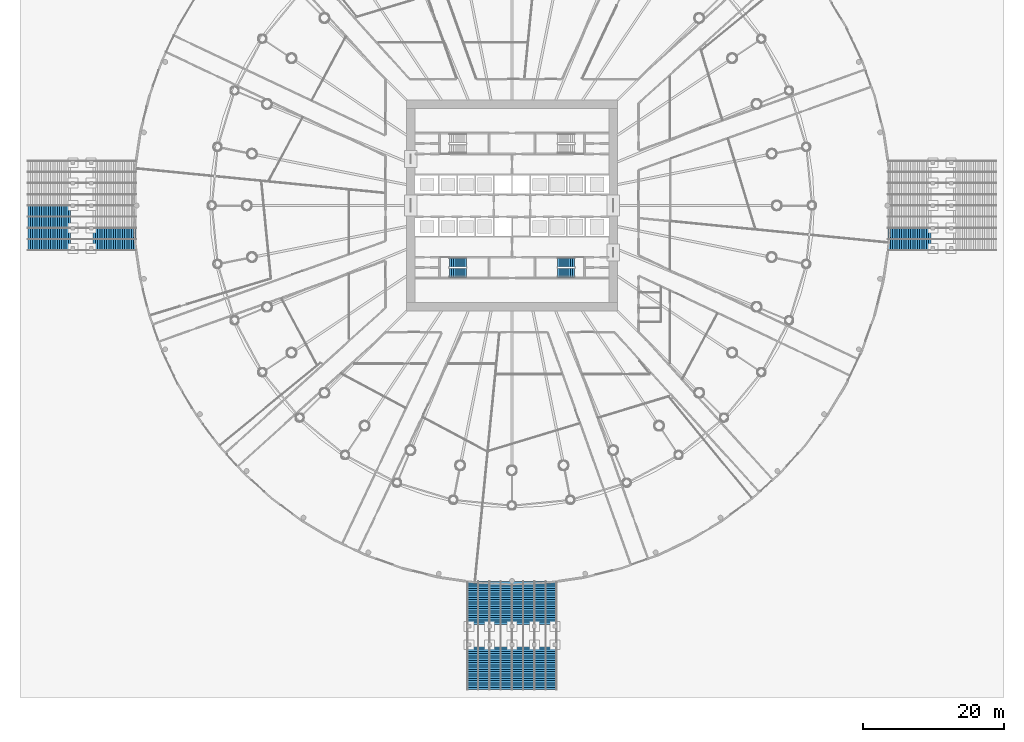
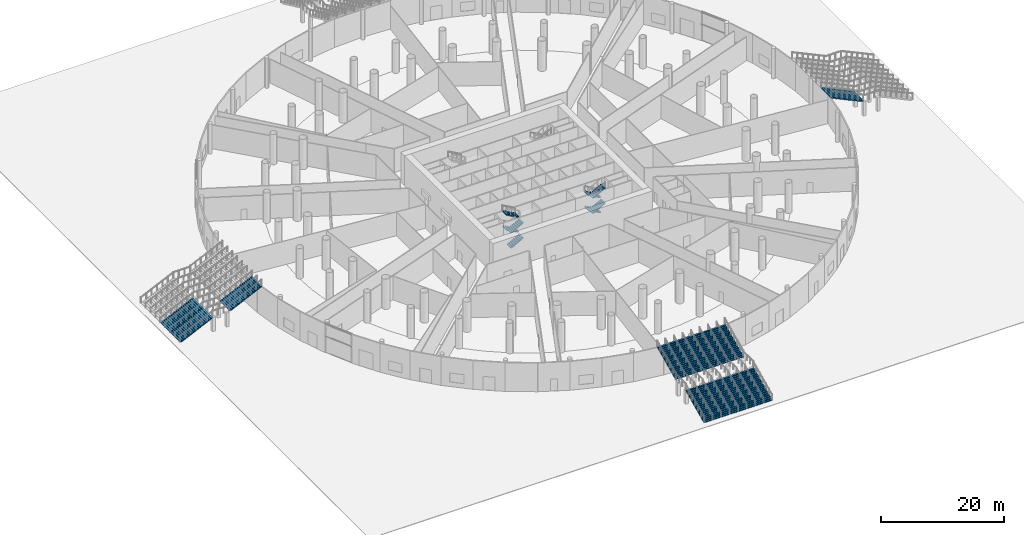
# One storey, part 24 of 33: 20 stair flights, 9 elements without a shape of their own.
"""IFC4 building model written with IfcOpenShell, lengths in metres."""

from ifc_helpers import new_model, si_unit, direction, frame, origin, place, context, subcontext, project, spatial, polyline, outline, extrude, material, type_object, element, aggregate, save


model = new_model("IFC4")

# Units and contexts
model_context = context("Model", 3, precision=1e-05, world=origin(), true_north=direction((0.0, 1.0)))
body_context = subcontext(model_context, "Body", "Model", "MODEL_VIEW")
ifc_project = project(units=[si_unit("LENGTHUNIT", "METRE"), si_unit("AREAUNIT", "SQUARE_METRE"), si_unit("VOLUMEUNIT", "CUBIC_METRE"), si_unit("PLANEANGLEUNIT", "RADIAN"), si_unit("MASSUNIT", "GRAM", prefix="KILO")], contexts=[model_context])

# Site, building, storey
site_placement = place(None, origin())
site = spatial("IfcSite", under=ifc_project, at=site_placement, CompositionType="ELEMENT")
building_placement = place(site_placement, origin())
building = spatial("IfcBuilding", under=site, at=building_placement, Name="Corvane Civic Tower", CompositionType="ELEMENT")
storey_placement = place(building_placement, origin())
storey = spatial("IfcBuildingStorey", under=building, at=storey_placement, Name="G", CompositionType="ELEMENT", Elevation=0.0)

# Stair, stair flight
ifc_material_1 = material(Name="Concrete C40/50", Category="concrete")
stair_type_1 = type_object("IfcStairType", Name="PODIUM-ST-BROAD-EXT", PredefinedType="USERDEFINED", material=ifc_material_1)
stair_1_placement = place(storey_placement, origin())
stair_1 = element("IfcStair", 1, at=stair_1_placement, inside=storey, type_object=stair_type_1, Name="Broad exterior stair east run A", ObjectType="BROAD STEPS", PredefinedType="USERDEFINED")
ifc_material_2 = material(Name="Concrete C40/50", Category="concrete")
stair_flight_type_1 = type_object("IfcStairFlightType", Name="PODIUM-SFL-BROAD-C40", PredefinedType="STRAIGHT", material=ifc_material_2)
stair_flight_1_placement = place(storey_placement, frame((59.580078125, -4.800048828125, 3.0), z_axis=(0.0, 0.0, 1.0), x_axis=(-1.0, 0.0, 0.0)))
stair_flight_1 = element("IfcStairFlight", 2, at=stair_flight_1_placement, type_object=stair_flight_type_1, Name="BS2-A flight 2", NumberOfRisers=20, NumberOfTreads=19, PredefinedType="STRAIGHT", RiserHeight=0.15, TreadLength=0.32, context=body_context, shape_type="SweptSolid", body=[
    extrude(outline(polyline([(0.0, 0.0), (0.0, 0.14990234375), (0.320068359375, 0.14990234375), (0.320068359375, 0.300048828125), (0.639892578125, 0.300048828125), (0.639892578125, 0.449951171875), (0.9599609375, 0.449951171875), (0.9599609375, 0.60009765625), (1.280029296875, 0.60009765625), (1.280029296875, 0.75), (1.60009765625, 0.75), (1.60009765625, 0.89990234375), (1.919921875, 0.89990234375), (1.919921875, 1.050048828125), (2.239990234375, 1.050048828125), (2.239990234375, 1.199951171875), (2.56005859375, 1.199951171875), (2.56005859375, 1.35009765625), (2.8798828125, 1.35009765625), (2.8798828125, 1.5), (3.199951171875, 1.5), (3.199951171875, 1.64990234375), (3.52001953125, 1.64990234375), (3.52001953125, 1.800048828125), (3.840087890625, 1.800048828125), (3.840087890625, 1.949951171875), (4.159912109375, 1.949951171875), (4.159912109375, 2.10009765625), (4.47998046875, 2.10009765625), (4.47998046875, 2.25), (4.800048828125, 2.25), (4.800048828125, 2.39990234375), (5.1201171875, 2.39990234375), (5.1201171875, 2.550048828125), (5.43994140625, 2.550048828125), (5.43994140625, 2.699951171875), (5.760009765625, 2.699951171875), (5.760009765625, 2.85009765625), (6.080078125, 2.85009765625), (6.080078125, 3.0), (6.080078125, 2.684326171875), (0.353271484375, 0.0), (0.0, 0.0)])), frame((0.0, 1.60009765625, 0.0), z_axis=(0.0, -1.0, 0.0), x_axis=(1.0, 0.0, 0.0)), (0.0, 0.0, 1.0), 3.199951171875),
])
aggregate(stair_1, [stair_flight_1])

# Stair, stair flights
stair_2_placement = place(storey_placement, origin())
stair_2 = element("IfcStair", 3, at=stair_2_placement, inside=storey, type_object=stair_type_1, Name="Broad exterior stair south run A", ObjectType="BROAD STEPS", PredefinedType="USERDEFINED")
stair_flight_2_placement = place(storey_placement, frame((-4.800048828125, -68.860107421875, 0.0), z_axis=(0.0, 0.0, 1.0), x_axis=(0.0, 1.0, 0.0)))
stair_flight_2 = element("IfcStairFlight", 4, at=stair_flight_2_placement, type_object=stair_flight_type_1, Name="BS3-A flight 1", NumberOfRisers=20, NumberOfTreads=19, PredefinedType="STRAIGHT", RiserHeight=0.15, TreadLength=0.32, context=body_context, shape_type="SweptSolid", body=[
    extrude(outline(polyline([(0.0, 0.0), (0.0, 0.14990234375), (0.320068359375, 0.14990234375), (0.320068359375, 0.300048828125), (0.639892578125, 0.300048828125), (0.639892578125, 0.449951171875), (0.9599609375, 0.449951171875), (0.9599609375, 0.60009765625), (1.280029296875, 0.60009765625), (1.280029296875, 0.75), (1.60009765625, 0.75), (1.60009765625, 0.89990234375), (1.919921875, 0.89990234375), (1.919921875, 1.050048828125), (2.239990234375, 1.050048828125), (2.239990234375, 1.199951171875), (2.56005859375, 1.199951171875), (2.56005859375, 1.35009765625), (2.8798828125, 1.35009765625), (2.8798828125, 1.5), (3.199951171875, 1.5), (3.199951171875, 1.64990234375), (3.52001953125, 1.64990234375), (3.52001953125, 1.800048828125), (3.840087890625, 1.800048828125), (3.840087890625, 1.949951171875), (4.159912109375, 1.949951171875), (4.159912109375, 2.10009765625), (4.47998046875, 2.10009765625), (4.47998046875, 2.25), (4.800048828125, 2.25), (4.800048828125, 2.39990234375), (5.1201171875, 2.39990234375), (5.1201171875, 2.550048828125), (5.43994140625, 2.550048828125), (5.43994140625, 2.699951171875), (5.760009765625, 2.699951171875), (5.760009765625, 2.85009765625), (6.080078125, 2.85009765625), (6.080078125, 3.0), (6.080078125, 2.684326171875), (0.353271484375, 0.0), (0.0, 0.0)])), frame((0.0, 1.60009765625, 0.0), z_axis=(0.0, -1.0, 0.0), x_axis=(1.0, 0.0, 0.0)), (0.0, 0.0, 1.0), 3.199951171875),
])
stair_flight_3_placement = place(storey_placement, frame((-4.800048828125, -59.580078125, 3.0), z_axis=(0.0, 0.0, 1.0), x_axis=(0.0, 1.0, 0.0)))
stair_flight_3 = element("IfcStairFlight", 5, at=stair_flight_3_placement, type_object=stair_flight_type_1, Name="BS3-A flight 2", NumberOfRisers=20, NumberOfTreads=19, PredefinedType="STRAIGHT", RiserHeight=0.15, TreadLength=0.32, context=body_context, shape_type="SweptSolid", body=[
    extrude(outline(polyline([(0.0, 0.0), (0.0, 0.14990234375), (0.320068359375, 0.14990234375), (0.320068359375, 0.300048828125), (0.639892578125, 0.300048828125), (0.639892578125, 0.449951171875), (0.9599609375, 0.449951171875), (0.9599609375, 0.60009765625), (1.280029296875, 0.60009765625), (1.280029296875, 0.75), (1.60009765625, 0.75), (1.60009765625, 0.89990234375), (1.919921875, 0.89990234375), (1.919921875, 1.050048828125), (2.239990234375, 1.050048828125), (2.239990234375, 1.199951171875), (2.56005859375, 1.199951171875), (2.56005859375, 1.35009765625), (2.8798828125, 1.35009765625), (2.8798828125, 1.5), (3.199951171875, 1.5), (3.199951171875, 1.64990234375), (3.52001953125, 1.64990234375), (3.52001953125, 1.800048828125), (3.840087890625, 1.800048828125), (3.840087890625, 1.949951171875), (4.159912109375, 1.949951171875), (4.159912109375, 2.10009765625), (4.47998046875, 2.10009765625), (4.47998046875, 2.25), (4.800048828125, 2.25), (4.800048828125, 2.39990234375), (5.1201171875, 2.39990234375), (5.1201171875, 2.550048828125), (5.43994140625, 2.550048828125), (5.43994140625, 2.699951171875), (5.760009765625, 2.699951171875), (5.760009765625, 2.85009765625), (6.080078125, 2.85009765625), (6.080078125, 3.0), (6.080078125, 2.684326171875), (0.353271484375, 0.0), (0.0, 0.0)])), frame((0.0, 1.60009765625, 0.0), z_axis=(0.0, -1.0, 0.0), x_axis=(1.0, 0.0, 0.0)), (0.0, 0.0, 1.0), 3.199951171875),
])
aggregate(stair_2, [stair_flight_2, stair_flight_3])

stair_3_placement = place(storey_placement, origin())
stair_3 = element("IfcStair", 6, at=stair_3_placement, inside=storey, type_object=stair_type_1, Name="Broad exterior stair south run B", ObjectType="BROAD STEPS", PredefinedType="USERDEFINED")
stair_flight_4_placement = place(storey_placement, frame((-1.60009765625, -68.860107421875, 0.0), z_axis=(0.0, 0.0, 1.0), x_axis=(0.0, 1.0, 0.0)))
stair_flight_4 = element("IfcStairFlight", 7, at=stair_flight_4_placement, type_object=stair_flight_type_1, Name="BS3-B flight 1", NumberOfRisers=20, NumberOfTreads=19, PredefinedType="STRAIGHT", RiserHeight=0.15, TreadLength=0.32, context=body_context, shape_type="SweptSolid", body=[
    extrude(outline(polyline([(0.0, 0.0), (0.0, 0.14990234375), (0.320068359375, 0.14990234375), (0.320068359375, 0.300048828125), (0.639892578125, 0.300048828125), (0.639892578125, 0.449951171875), (0.9599609375, 0.449951171875), (0.9599609375, 0.60009765625), (1.280029296875, 0.60009765625), (1.280029296875, 0.75), (1.60009765625, 0.75), (1.60009765625, 0.89990234375), (1.919921875, 0.89990234375), (1.919921875, 1.050048828125), (2.239990234375, 1.050048828125), (2.239990234375, 1.199951171875), (2.56005859375, 1.199951171875), (2.56005859375, 1.35009765625), (2.8798828125, 1.35009765625), (2.8798828125, 1.5), (3.199951171875, 1.5), (3.199951171875, 1.64990234375), (3.52001953125, 1.64990234375), (3.52001953125, 1.800048828125), (3.840087890625, 1.800048828125), (3.840087890625, 1.949951171875), (4.159912109375, 1.949951171875), (4.159912109375, 2.10009765625), (4.47998046875, 2.10009765625), (4.47998046875, 2.25), (4.800048828125, 2.25), (4.800048828125, 2.39990234375), (5.1201171875, 2.39990234375), (5.1201171875, 2.550048828125), (5.43994140625, 2.550048828125), (5.43994140625, 2.699951171875), (5.760009765625, 2.699951171875), (5.760009765625, 2.85009765625), (6.080078125, 2.85009765625), (6.080078125, 3.0), (6.080078125, 2.684326171875), (0.353271484375, 0.0), (0.0, 0.0)])), frame((0.0, 1.60009765625, 0.0), z_axis=(0.0, -1.0, 0.0), x_axis=(1.0, 0.0, 0.0)), (0.0, 0.0, 1.0), 3.199951171875),
])
stair_flight_5_placement = place(storey_placement, frame((-1.60009765625, -59.580078125, 3.0), z_axis=(0.0, 0.0, 1.0), x_axis=(0.0, 1.0, 0.0)))
stair_flight_5 = element("IfcStairFlight", 8, at=stair_flight_5_placement, type_object=stair_flight_type_1, Name="BS3-B flight 2", NumberOfRisers=20, NumberOfTreads=19, PredefinedType="STRAIGHT", RiserHeight=0.15, TreadLength=0.32, context=body_context, shape_type="SweptSolid", body=[
    extrude(outline(polyline([(0.0, 0.0), (0.0, 0.14990234375), (0.320068359375, 0.14990234375), (0.320068359375, 0.300048828125), (0.639892578125, 0.300048828125), (0.639892578125, 0.449951171875), (0.9599609375, 0.449951171875), (0.9599609375, 0.60009765625), (1.280029296875, 0.60009765625), (1.280029296875, 0.75), (1.60009765625, 0.75), (1.60009765625, 0.89990234375), (1.919921875, 0.89990234375), (1.919921875, 1.050048828125), (2.239990234375, 1.050048828125), (2.239990234375, 1.199951171875), (2.56005859375, 1.199951171875), (2.56005859375, 1.35009765625), (2.8798828125, 1.35009765625), (2.8798828125, 1.5), (3.199951171875, 1.5), (3.199951171875, 1.64990234375), (3.52001953125, 1.64990234375), (3.52001953125, 1.800048828125), (3.840087890625, 1.800048828125), (3.840087890625, 1.949951171875), (4.159912109375, 1.949951171875), (4.159912109375, 2.10009765625), (4.47998046875, 2.10009765625), (4.47998046875, 2.25), (4.800048828125, 2.25), (4.800048828125, 2.39990234375), (5.1201171875, 2.39990234375), (5.1201171875, 2.550048828125), (5.43994140625, 2.550048828125), (5.43994140625, 2.699951171875), (5.760009765625, 2.699951171875), (5.760009765625, 2.85009765625), (6.080078125, 2.85009765625), (6.080078125, 3.0), (6.080078125, 2.684326171875), (0.353271484375, 0.0), (0.0, 0.0)])), frame((0.0, 1.60009765625, 0.0), z_axis=(0.0, -1.0, 0.0), x_axis=(1.0, 0.0, 0.0)), (0.0, 0.0, 1.0), 3.199951171875),
])
aggregate(stair_3, [stair_flight_4, stair_flight_5])

stair_4_placement = place(storey_placement, origin())
stair_4 = element("IfcStair", 9, at=stair_4_placement, inside=storey, type_object=stair_type_1, Name="Broad exterior stair south run C", ObjectType="BROAD STEPS", PredefinedType="USERDEFINED")
stair_flight_6_placement = place(storey_placement, frame((1.60009765625, -68.860107421875, 0.0), z_axis=(0.0, 0.0, 1.0), x_axis=(0.0, 1.0, 0.0)))
stair_flight_6 = element("IfcStairFlight", 10, at=stair_flight_6_placement, type_object=stair_flight_type_1, Name="BS3-C flight 1", NumberOfRisers=20, NumberOfTreads=19, PredefinedType="STRAIGHT", RiserHeight=0.15, TreadLength=0.32, context=body_context, shape_type="SweptSolid", body=[
    extrude(outline(polyline([(0.0, 0.0), (0.0, 0.14990234375), (0.320068359375, 0.14990234375), (0.320068359375, 0.300048828125), (0.639892578125, 0.300048828125), (0.639892578125, 0.449951171875), (0.9599609375, 0.449951171875), (0.9599609375, 0.60009765625), (1.280029296875, 0.60009765625), (1.280029296875, 0.75), (1.60009765625, 0.75), (1.60009765625, 0.89990234375), (1.919921875, 0.89990234375), (1.919921875, 1.050048828125), (2.239990234375, 1.050048828125), (2.239990234375, 1.199951171875), (2.56005859375, 1.199951171875), (2.56005859375, 1.35009765625), (2.8798828125, 1.35009765625), (2.8798828125, 1.5), (3.199951171875, 1.5), (3.199951171875, 1.64990234375), (3.52001953125, 1.64990234375), (3.52001953125, 1.800048828125), (3.840087890625, 1.800048828125), (3.840087890625, 1.949951171875), (4.159912109375, 1.949951171875), (4.159912109375, 2.10009765625), (4.47998046875, 2.10009765625), (4.47998046875, 2.25), (4.800048828125, 2.25), (4.800048828125, 2.39990234375), (5.1201171875, 2.39990234375), (5.1201171875, 2.550048828125), (5.43994140625, 2.550048828125), (5.43994140625, 2.699951171875), (5.760009765625, 2.699951171875), (5.760009765625, 2.85009765625), (6.080078125, 2.85009765625), (6.080078125, 3.0), (6.080078125, 2.684326171875), (0.353271484375, 0.0), (0.0, 0.0)])), frame((0.0, 1.60009765625, 0.0), z_axis=(0.0, -1.0, 0.0), x_axis=(1.0, 0.0, 0.0)), (0.0, 0.0, 1.0), 3.199951171875),
])
stair_flight_7_placement = place(storey_placement, frame((1.60009765625, -59.580078125, 3.0), z_axis=(0.0, 0.0, 1.0), x_axis=(0.0, 1.0, 0.0)))
stair_flight_7 = element("IfcStairFlight", 11, at=stair_flight_7_placement, type_object=stair_flight_type_1, Name="BS3-C flight 2", NumberOfRisers=20, NumberOfTreads=19, PredefinedType="STRAIGHT", RiserHeight=0.15, TreadLength=0.32, context=body_context, shape_type="SweptSolid", body=[
    extrude(outline(polyline([(0.0, 0.0), (0.0, 0.14990234375), (0.320068359375, 0.14990234375), (0.320068359375, 0.300048828125), (0.639892578125, 0.300048828125), (0.639892578125, 0.449951171875), (0.9599609375, 0.449951171875), (0.9599609375, 0.60009765625), (1.280029296875, 0.60009765625), (1.280029296875, 0.75), (1.60009765625, 0.75), (1.60009765625, 0.89990234375), (1.919921875, 0.89990234375), (1.919921875, 1.050048828125), (2.239990234375, 1.050048828125), (2.239990234375, 1.199951171875), (2.56005859375, 1.199951171875), (2.56005859375, 1.35009765625), (2.8798828125, 1.35009765625), (2.8798828125, 1.5), (3.199951171875, 1.5), (3.199951171875, 1.64990234375), (3.52001953125, 1.64990234375), (3.52001953125, 1.800048828125), (3.840087890625, 1.800048828125), (3.840087890625, 1.949951171875), (4.159912109375, 1.949951171875), (4.159912109375, 2.10009765625), (4.47998046875, 2.10009765625), (4.47998046875, 2.25), (4.800048828125, 2.25), (4.800048828125, 2.39990234375), (5.1201171875, 2.39990234375), (5.1201171875, 2.550048828125), (5.43994140625, 2.550048828125), (5.43994140625, 2.699951171875), (5.760009765625, 2.699951171875), (5.760009765625, 2.85009765625), (6.080078125, 2.85009765625), (6.080078125, 3.0), (6.080078125, 2.684326171875), (0.353271484375, 0.0), (0.0, 0.0)])), frame((0.0, 1.60009765625, 0.0), z_axis=(0.0, -1.0, 0.0), x_axis=(1.0, 0.0, 0.0)), (0.0, 0.0, 1.0), 3.199951171875),
])
aggregate(stair_4, [stair_flight_6, stair_flight_7])

stair_5_placement = place(storey_placement, origin())
stair_5 = element("IfcStair", 12, at=stair_5_placement, inside=storey, type_object=stair_type_1, Name="Broad exterior stair south run D", ObjectType="BROAD STEPS", PredefinedType="USERDEFINED")
stair_flight_8_placement = place(storey_placement, frame((4.800048828125, -68.860107421875, 0.0), z_axis=(0.0, 0.0, 1.0), x_axis=(0.0, 1.0, 0.0)))
stair_flight_8 = element("IfcStairFlight", 13, at=stair_flight_8_placement, type_object=stair_flight_type_1, Name="BS3-D flight 1", NumberOfRisers=20, NumberOfTreads=19, PredefinedType="STRAIGHT", RiserHeight=0.15, TreadLength=0.32, context=body_context, shape_type="SweptSolid", body=[
    extrude(outline(polyline([(0.0, 0.0), (0.0, 0.14990234375), (0.320068359375, 0.14990234375), (0.320068359375, 0.300048828125), (0.639892578125, 0.300048828125), (0.639892578125, 0.449951171875), (0.9599609375, 0.449951171875), (0.9599609375, 0.60009765625), (1.280029296875, 0.60009765625), (1.280029296875, 0.75), (1.60009765625, 0.75), (1.60009765625, 0.89990234375), (1.919921875, 0.89990234375), (1.919921875, 1.050048828125), (2.239990234375, 1.050048828125), (2.239990234375, 1.199951171875), (2.56005859375, 1.199951171875), (2.56005859375, 1.35009765625), (2.8798828125, 1.35009765625), (2.8798828125, 1.5), (3.199951171875, 1.5), (3.199951171875, 1.64990234375), (3.52001953125, 1.64990234375), (3.52001953125, 1.800048828125), (3.840087890625, 1.800048828125), (3.840087890625, 1.949951171875), (4.159912109375, 1.949951171875), (4.159912109375, 2.10009765625), (4.47998046875, 2.10009765625), (4.47998046875, 2.25), (4.800048828125, 2.25), (4.800048828125, 2.39990234375), (5.1201171875, 2.39990234375), (5.1201171875, 2.550048828125), (5.43994140625, 2.550048828125), (5.43994140625, 2.699951171875), (5.760009765625, 2.699951171875), (5.760009765625, 2.85009765625), (6.080078125, 2.85009765625), (6.080078125, 3.0), (6.080078125, 2.684326171875), (0.353271484375, 0.0), (0.0, 0.0)])), frame((0.0, 1.60009765625, 0.0), z_axis=(0.0, -1.0, 0.0), x_axis=(1.0, 0.0, 0.0)), (0.0, 0.0, 1.0), 3.199951171875),
])
stair_flight_9_placement = place(storey_placement, frame((4.800048828125, -59.580078125, 3.0), z_axis=(0.0, 0.0, 1.0), x_axis=(0.0, 1.0, 0.0)))
stair_flight_9 = element("IfcStairFlight", 14, at=stair_flight_9_placement, type_object=stair_flight_type_1, Name="BS3-D flight 2", NumberOfRisers=20, NumberOfTreads=19, PredefinedType="STRAIGHT", RiserHeight=0.15, TreadLength=0.32, context=body_context, shape_type="SweptSolid", body=[
    extrude(outline(polyline([(0.0, 0.0), (0.0, 0.14990234375), (0.320068359375, 0.14990234375), (0.320068359375, 0.300048828125), (0.639892578125, 0.300048828125), (0.639892578125, 0.449951171875), (0.9599609375, 0.449951171875), (0.9599609375, 0.60009765625), (1.280029296875, 0.60009765625), (1.280029296875, 0.75), (1.60009765625, 0.75), (1.60009765625, 0.89990234375), (1.919921875, 0.89990234375), (1.919921875, 1.050048828125), (2.239990234375, 1.050048828125), (2.239990234375, 1.199951171875), (2.56005859375, 1.199951171875), (2.56005859375, 1.35009765625), (2.8798828125, 1.35009765625), (2.8798828125, 1.5), (3.199951171875, 1.5), (3.199951171875, 1.64990234375), (3.52001953125, 1.64990234375), (3.52001953125, 1.800048828125), (3.840087890625, 1.800048828125), (3.840087890625, 1.949951171875), (4.159912109375, 1.949951171875), (4.159912109375, 2.10009765625), (4.47998046875, 2.10009765625), (4.47998046875, 2.25), (4.800048828125, 2.25), (4.800048828125, 2.39990234375), (5.1201171875, 2.39990234375), (5.1201171875, 2.550048828125), (5.43994140625, 2.550048828125), (5.43994140625, 2.699951171875), (5.760009765625, 2.699951171875), (5.760009765625, 2.85009765625), (6.080078125, 2.85009765625), (6.080078125, 3.0), (6.080078125, 2.684326171875), (0.353271484375, 0.0), (0.0, 0.0)])), frame((0.0, 1.60009765625, 0.0), z_axis=(0.0, -1.0, 0.0), x_axis=(1.0, 0.0, 0.0)), (0.0, 0.0, 1.0), 3.199951171875),
])
aggregate(stair_5, [stair_flight_8, stair_flight_9])

# Stair, stair flight
stair_6_placement = place(storey_placement, origin())
stair_6 = element("IfcStair", 15, at=stair_6_placement, inside=storey, type_object=stair_type_1, Name="Broad exterior stair west run C", ObjectType="BROAD STEPS", PredefinedType="USERDEFINED")
stair_flight_10_placement = place(storey_placement, frame((-68.860107421875, -1.60009765625, 0.0), z_axis=(0.0, 0.0, 1.0), x_axis=(1.0, 0.0, 0.0)))
stair_flight_10 = element("IfcStairFlight", 16, at=stair_flight_10_placement, type_object=stair_flight_type_1, Name="BS4-C flight 1", NumberOfRisers=20, NumberOfTreads=19, PredefinedType="STRAIGHT", RiserHeight=0.15, TreadLength=0.32, context=body_context, shape_type="SweptSolid", body=[
    extrude(outline(polyline([(0.0, 0.0), (0.0, 0.14990234375), (0.320068359375, 0.14990234375), (0.320068359375, 0.300048828125), (0.639892578125, 0.300048828125), (0.639892578125, 0.449951171875), (0.9599609375, 0.449951171875), (0.9599609375, 0.60009765625), (1.280029296875, 0.60009765625), (1.280029296875, 0.75), (1.60009765625, 0.75), (1.60009765625, 0.89990234375), (1.919921875, 0.89990234375), (1.919921875, 1.050048828125), (2.239990234375, 1.050048828125), (2.239990234375, 1.199951171875), (2.56005859375, 1.199951171875), (2.56005859375, 1.35009765625), (2.8798828125, 1.35009765625), (2.8798828125, 1.5), (3.199951171875, 1.5), (3.199951171875, 1.64990234375), (3.52001953125, 1.64990234375), (3.52001953125, 1.800048828125), (3.840087890625, 1.800048828125), (3.840087890625, 1.949951171875), (4.159912109375, 1.949951171875), (4.159912109375, 2.10009765625), (4.47998046875, 2.10009765625), (4.47998046875, 2.25), (4.800048828125, 2.25), (4.800048828125, 2.39990234375), (5.1201171875, 2.39990234375), (5.1201171875, 2.550048828125), (5.43994140625, 2.550048828125), (5.43994140625, 2.699951171875), (5.760009765625, 2.699951171875), (5.760009765625, 2.85009765625), (6.080078125, 2.85009765625), (6.080078125, 3.0), (6.080078125, 2.684326171875), (0.353271484375, 0.0), (0.0, 0.0)])), frame((0.0, 1.60009765625, 0.0), z_axis=(0.0, -1.0, 0.0), x_axis=(1.0, 0.0, 0.0)), (0.0, 0.0, 1.0), 3.199951171875),
])
aggregate(stair_6, [stair_flight_10])

# Stair, stair flights
stair_7_placement = place(storey_placement, origin())
stair_7 = element("IfcStair", 17, at=stair_7_placement, inside=storey, type_object=stair_type_1, Name="Broad exterior stair west run D", ObjectType="BROAD STEPS", PredefinedType="USERDEFINED")
stair_flight_11_placement = place(storey_placement, frame((-68.860107421875, -4.800048828125, 0.0), z_axis=(0.0, 0.0, 1.0), x_axis=(1.0, 0.0, 0.0)))
stair_flight_11 = element("IfcStairFlight", 18, at=stair_flight_11_placement, type_object=stair_flight_type_1, Name="BS4-D flight 1", NumberOfRisers=20, NumberOfTreads=19, PredefinedType="STRAIGHT", RiserHeight=0.15, TreadLength=0.32, context=body_context, shape_type="SweptSolid", body=[
    extrude(outline(polyline([(0.0, 0.0), (0.0, 0.14990234375), (0.320068359375, 0.14990234375), (0.320068359375, 0.300048828125), (0.639892578125, 0.300048828125), (0.639892578125, 0.449951171875), (0.9599609375, 0.449951171875), (0.9599609375, 0.60009765625), (1.280029296875, 0.60009765625), (1.280029296875, 0.75), (1.60009765625, 0.75), (1.60009765625, 0.89990234375), (1.919921875, 0.89990234375), (1.919921875, 1.050048828125), (2.239990234375, 1.050048828125), (2.239990234375, 1.199951171875), (2.56005859375, 1.199951171875), (2.56005859375, 1.35009765625), (2.8798828125, 1.35009765625), (2.8798828125, 1.5), (3.199951171875, 1.5), (3.199951171875, 1.64990234375), (3.52001953125, 1.64990234375), (3.52001953125, 1.800048828125), (3.840087890625, 1.800048828125), (3.840087890625, 1.949951171875), (4.159912109375, 1.949951171875), (4.159912109375, 2.10009765625), (4.47998046875, 2.10009765625), (4.47998046875, 2.25), (4.800048828125, 2.25), (4.800048828125, 2.39990234375), (5.1201171875, 2.39990234375), (5.1201171875, 2.550048828125), (5.43994140625, 2.550048828125), (5.43994140625, 2.699951171875), (5.760009765625, 2.699951171875), (5.760009765625, 2.85009765625), (6.080078125, 2.85009765625), (6.080078125, 3.0), (6.080078125, 2.684326171875), (0.353271484375, 0.0), (0.0, 0.0)])), frame((0.0, 1.60009765625, 0.0), z_axis=(0.0, -1.0, 0.0), x_axis=(1.0, 0.0, 0.0)), (0.0, 0.0, 1.0), 3.199951171875),
])
stair_flight_12_placement = place(storey_placement, frame((-59.580078125, -4.800048828125, 3.0), z_axis=(0.0, 0.0, 1.0), x_axis=(1.0, 0.0, 0.0)))
stair_flight_12 = element("IfcStairFlight", 19, at=stair_flight_12_placement, type_object=stair_flight_type_1, Name="BS4-D flight 2", NumberOfRisers=20, NumberOfTreads=19, PredefinedType="STRAIGHT", RiserHeight=0.15, TreadLength=0.32, context=body_context, shape_type="SweptSolid", body=[
    extrude(outline(polyline([(0.0, 0.0), (0.0, 0.14990234375), (0.320068359375, 0.14990234375), (0.320068359375, 0.300048828125), (0.639892578125, 0.300048828125), (0.639892578125, 0.449951171875), (0.9599609375, 0.449951171875), (0.9599609375, 0.60009765625), (1.280029296875, 0.60009765625), (1.280029296875, 0.75), (1.60009765625, 0.75), (1.60009765625, 0.89990234375), (1.919921875, 0.89990234375), (1.919921875, 1.050048828125), (2.239990234375, 1.050048828125), (2.239990234375, 1.199951171875), (2.56005859375, 1.199951171875), (2.56005859375, 1.35009765625), (2.8798828125, 1.35009765625), (2.8798828125, 1.5), (3.199951171875, 1.5), (3.199951171875, 1.64990234375), (3.52001953125, 1.64990234375), (3.52001953125, 1.800048828125), (3.840087890625, 1.800048828125), (3.840087890625, 1.949951171875), (4.159912109375, 1.949951171875), (4.159912109375, 2.10009765625), (4.47998046875, 2.10009765625), (4.47998046875, 2.25), (4.800048828125, 2.25), (4.800048828125, 2.39990234375), (5.1201171875, 2.39990234375), (5.1201171875, 2.550048828125), (5.43994140625, 2.550048828125), (5.43994140625, 2.699951171875), (5.760009765625, 2.699951171875), (5.760009765625, 2.85009765625), (6.080078125, 2.85009765625), (6.080078125, 3.0), (6.080078125, 2.684326171875), (0.353271484375, 0.0), (0.0, 0.0)])), frame((0.0, 1.60009765625, 0.0), z_axis=(0.0, -1.0, 0.0), x_axis=(1.0, 0.0, 0.0)), (0.0, 0.0, 1.0), 3.199951171875),
])
aggregate(stair_7, [stair_flight_11, stair_flight_12])

ifc_material_3 = material(Name="Concrete C40/50", Category="concrete")
stair_type_2 = type_object("IfcStairType", Name="ST-STAIR-HALFTURN", PredefinedType="HALF_TURN_STAIR", material=ifc_material_3)
stair_8_placement = place(storey_placement, origin())
stair_8 = element("IfcStair", 20, at=stair_8_placement, inside=storey, type_object=stair_type_2, Name="G Exit stair ST2", PredefinedType="HALF_TURN_STAIR")
ifc_material_4 = material(Name="Concrete C40/50", Category="concrete")
stair_flight_type_2 = type_object("IfcStairFlightType", Name="ST-FLIGHT-RC", PredefinedType="STRAIGHT", material=ifc_material_4)
stair_flight_13_placement = place(storey_placement, frame((8.89990234375, -8.10009765625, 0.0), z_axis=(0.0, 0.0, 1.0), x_axis=(-1.0, 0.0, 0.0)))
stair_flight_13 = element("IfcStairFlight", 21, at=stair_flight_13_placement, type_object=stair_flight_type_2, Name="ST2 flight 1", NumberOfRisers=9, NumberOfTreads=8, PredefinedType="STRAIGHT", RiserHeight=0.166666667, TreadLength=0.3, context=body_context, shape_type="SweptSolid", body=[
    extrude(outline(polyline([(0.0, 0.0), (0.0, 0.166748046875), (0.300048828125, 0.166748046875), (0.300048828125, 0.333251953125), (0.60009765625, 0.333251953125), (0.60009765625, 0.5), (0.89990234375, 0.5), (0.89990234375, 0.666748046875), (1.199951171875, 0.666748046875), (1.199951171875, 0.833251953125), (1.5, 0.833251953125), (1.5, 1.0), (1.800048828125, 1.0), (1.800048828125, 1.166748046875), (2.10009765625, 1.166748046875), (2.10009765625, 1.333251953125), (2.39990234375, 1.333251953125), (2.39990234375, 1.5), (2.39990234375, 1.161865234375), (0.30859375, 0.0), (0.0, 0.0)])), frame((0.0, 0.64990234375, 0.0), z_axis=(0.0, -1.0, 0.0), x_axis=(1.0, 0.0, 0.0)), (0.0, 0.0, 1.0), 1.300048828125),
])
stair_flight_14_placement = place(storey_placement, frame((6.5, -9.550048828125, 1.5), z_axis=(0.0, 0.0, 1.0), x_axis=(1.0, 0.0, 0.0)))
stair_flight_14 = element("IfcStairFlight", 22, at=stair_flight_14_placement, type_object=stair_flight_type_2, Name="ST2 flight 2", NumberOfRisers=9, NumberOfTreads=8, PredefinedType="STRAIGHT", RiserHeight=0.166666667, TreadLength=0.3, context=body_context, shape_type="SweptSolid", body=[
    extrude(outline(polyline([(0.0, 0.0), (0.0, 0.166748046875), (0.300048828125, 0.166748046875), (0.300048828125, 0.333251953125), (0.60009765625, 0.333251953125), (0.60009765625, 0.5), (0.89990234375, 0.5), (0.89990234375, 0.666748046875), (1.199951171875, 0.666748046875), (1.199951171875, 0.833251953125), (1.5, 0.833251953125), (1.5, 1.0), (1.800048828125, 1.0), (1.800048828125, 1.166748046875), (2.10009765625, 1.166748046875), (2.10009765625, 1.333251953125), (2.39990234375, 1.333251953125), (2.39990234375, 1.5), (2.39990234375, 1.161865234375), (0.30859375, 0.0), (0.0, 0.0)])), frame((0.0, 0.64990234375, 0.0), z_axis=(0.0, -1.0, 0.0), x_axis=(1.0, 0.0, 0.0)), (0.0, 0.0, 1.0), 1.300048828125),
])
stair_flight_15_placement = place(storey_placement, frame((8.89990234375, -8.10009765625, 3.0), z_axis=(0.0, 0.0, 1.0), x_axis=(-1.0, 0.0, 0.0)))
stair_flight_15 = element("IfcStairFlight", 23, at=stair_flight_15_placement, type_object=stair_flight_type_2, Name="ST2 flight 3", NumberOfRisers=9, NumberOfTreads=8, PredefinedType="STRAIGHT", RiserHeight=0.166666667, TreadLength=0.3, context=body_context, shape_type="SweptSolid", body=[
    extrude(outline(polyline([(0.0, 0.0), (0.0, 0.166748046875), (0.300048828125, 0.166748046875), (0.300048828125, 0.333251953125), (0.60009765625, 0.333251953125), (0.60009765625, 0.5), (0.89990234375, 0.5), (0.89990234375, 0.666748046875), (1.199951171875, 0.666748046875), (1.199951171875, 0.833251953125), (1.5, 0.833251953125), (1.5, 1.0), (1.800048828125, 1.0), (1.800048828125, 1.166748046875), (2.10009765625, 1.166748046875), (2.10009765625, 1.333251953125), (2.39990234375, 1.333251953125), (2.39990234375, 1.5), (2.39990234375, 1.161865234375), (0.30859375, 0.0), (0.0, 0.0)])), frame((0.0, 0.64990234375, 0.0), z_axis=(0.0, -1.0, 0.0), x_axis=(1.0, 0.0, 0.0)), (0.0, 0.0, 1.0), 1.300048828125),
])
stair_flight_16_placement = place(storey_placement, frame((6.5, -9.550048828125, 4.5), z_axis=(0.0, 0.0, 1.0), x_axis=(1.0, 0.0, 0.0)))
stair_flight_16 = element("IfcStairFlight", 24, at=stair_flight_16_placement, type_object=stair_flight_type_2, Name="ST2 flight 4", NumberOfRisers=9, NumberOfTreads=8, PredefinedType="STRAIGHT", RiserHeight=0.166666667, TreadLength=0.3, context=body_context, shape_type="SweptSolid", body=[
    extrude(outline(polyline([(0.0, 0.0), (0.0, 0.166748046875), (0.300048828125, 0.166748046875), (0.300048828125, 0.333251953125), (0.60009765625, 0.333251953125), (0.60009765625, 0.5), (0.89990234375, 0.5), (0.89990234375, 0.666748046875), (1.199951171875, 0.666748046875), (1.199951171875, 0.833251953125), (1.5, 0.833251953125), (1.5, 1.0), (1.800048828125, 1.0), (1.800048828125, 1.166748046875), (2.10009765625, 1.166748046875), (2.10009765625, 1.333251953125), (2.39990234375, 1.333251953125), (2.39990234375, 1.5), (2.39990234375, 1.161865234375), (0.30859375, 0.0), (0.0, 0.0)])), frame((0.0, 0.64990234375, 0.0), z_axis=(0.0, -1.0, 0.0), x_axis=(1.0, 0.0, 0.0)), (0.0, 0.0, 1.0), 1.300048828125),
])
aggregate(stair_8, [stair_flight_13, stair_flight_14, stair_flight_15, stair_flight_16])

stair_9_placement = place(storey_placement, origin())
stair_9 = element("IfcStair", 25, at=stair_9_placement, inside=storey, type_object=stair_type_2, Name="G Exit stair ST3", PredefinedType="HALF_TURN_STAIR")
stair_flight_17_placement = place(storey_placement, frame((-8.89990234375, -9.550048828125, 0.0), z_axis=(0.0, 0.0, 1.0), x_axis=(1.0, 0.0, 0.0)))
stair_flight_17 = element("IfcStairFlight", 26, at=stair_flight_17_placement, type_object=stair_flight_type_2, Name="ST3 flight 1", NumberOfRisers=9, NumberOfTreads=8, PredefinedType="STRAIGHT", RiserHeight=0.166666667, TreadLength=0.3, context=body_context, shape_type="SweptSolid", body=[
    extrude(outline(polyline([(0.0, 0.0), (0.0, 0.166748046875), (0.300048828125, 0.166748046875), (0.300048828125, 0.333251953125), (0.60009765625, 0.333251953125), (0.60009765625, 0.5), (0.89990234375, 0.5), (0.89990234375, 0.666748046875), (1.199951171875, 0.666748046875), (1.199951171875, 0.833251953125), (1.5, 0.833251953125), (1.5, 1.0), (1.800048828125, 1.0), (1.800048828125, 1.166748046875), (2.10009765625, 1.166748046875), (2.10009765625, 1.333251953125), (2.39990234375, 1.333251953125), (2.39990234375, 1.5), (2.39990234375, 1.161865234375), (0.30859375, 0.0), (0.0, 0.0)])), frame((0.0, 0.64990234375, 0.0), z_axis=(0.0, -1.0, 0.0), x_axis=(1.0, 0.0, 0.0)), (0.0, 0.0, 1.0), 1.300048828125),
])
stair_flight_18_placement = place(storey_placement, frame((-6.5, -8.10009765625, 1.5), z_axis=(0.0, 0.0, 1.0), x_axis=(-1.0, 0.0, 0.0)))
stair_flight_18 = element("IfcStairFlight", 27, at=stair_flight_18_placement, type_object=stair_flight_type_2, Name="ST3 flight 2", NumberOfRisers=9, NumberOfTreads=8, PredefinedType="STRAIGHT", RiserHeight=0.166666667, TreadLength=0.3, context=body_context, shape_type="SweptSolid", body=[
    extrude(outline(polyline([(0.0, 0.0), (0.0, 0.166748046875), (0.300048828125, 0.166748046875), (0.300048828125, 0.333251953125), (0.60009765625, 0.333251953125), (0.60009765625, 0.5), (0.89990234375, 0.5), (0.89990234375, 0.666748046875), (1.199951171875, 0.666748046875), (1.199951171875, 0.833251953125), (1.5, 0.833251953125), (1.5, 1.0), (1.800048828125, 1.0), (1.800048828125, 1.166748046875), (2.10009765625, 1.166748046875), (2.10009765625, 1.333251953125), (2.39990234375, 1.333251953125), (2.39990234375, 1.5), (2.39990234375, 1.161865234375), (0.30859375, 0.0), (0.0, 0.0)])), frame((0.0, 0.64990234375, 0.0), z_axis=(0.0, -1.0, 0.0), x_axis=(1.0, 0.0, 0.0)), (0.0, 0.0, 1.0), 1.300048828125),
])
stair_flight_19_placement = place(storey_placement, frame((-8.89990234375, -9.550048828125, 3.0), z_axis=(0.0, 0.0, 1.0), x_axis=(1.0, 0.0, 0.0)))
stair_flight_19 = element("IfcStairFlight", 28, at=stair_flight_19_placement, type_object=stair_flight_type_2, Name="ST3 flight 3", NumberOfRisers=9, NumberOfTreads=8, PredefinedType="STRAIGHT", RiserHeight=0.166666667, TreadLength=0.3, context=body_context, shape_type="SweptSolid", body=[
    extrude(outline(polyline([(0.0, 0.0), (0.0, 0.166748046875), (0.300048828125, 0.166748046875), (0.300048828125, 0.333251953125), (0.60009765625, 0.333251953125), (0.60009765625, 0.5), (0.89990234375, 0.5), (0.89990234375, 0.666748046875), (1.199951171875, 0.666748046875), (1.199951171875, 0.833251953125), (1.5, 0.833251953125), (1.5, 1.0), (1.800048828125, 1.0), (1.800048828125, 1.166748046875), (2.10009765625, 1.166748046875), (2.10009765625, 1.333251953125), (2.39990234375, 1.333251953125), (2.39990234375, 1.5), (2.39990234375, 1.161865234375), (0.30859375, 0.0), (0.0, 0.0)])), frame((0.0, 0.64990234375, 0.0), z_axis=(0.0, -1.0, 0.0), x_axis=(1.0, 0.0, 0.0)), (0.0, 0.0, 1.0), 1.300048828125),
])
stair_flight_20_placement = place(storey_placement, frame((-6.5, -8.10009765625, 4.5), z_axis=(0.0, 0.0, 1.0), x_axis=(-1.0, 0.0, 0.0)))
stair_flight_20 = element("IfcStairFlight", 29, at=stair_flight_20_placement, type_object=stair_flight_type_2, Name="ST3 flight 4", NumberOfRisers=9, NumberOfTreads=8, PredefinedType="STRAIGHT", RiserHeight=0.166666667, TreadLength=0.3, context=body_context, shape_type="SweptSolid", body=[
    extrude(outline(polyline([(0.0, 0.0), (0.0, 0.166748046875), (0.300048828125, 0.166748046875), (0.300048828125, 0.333251953125), (0.60009765625, 0.333251953125), (0.60009765625, 0.5), (0.89990234375, 0.5), (0.89990234375, 0.666748046875), (1.199951171875, 0.666748046875), (1.199951171875, 0.833251953125), (1.5, 0.833251953125), (1.5, 1.0), (1.800048828125, 1.0), (1.800048828125, 1.166748046875), (2.10009765625, 1.166748046875), (2.10009765625, 1.333251953125), (2.39990234375, 1.333251953125), (2.39990234375, 1.5), (2.39990234375, 1.161865234375), (0.30859375, 0.0), (0.0, 0.0)])), frame((0.0, 0.64990234375, 0.0), z_axis=(0.0, -1.0, 0.0), x_axis=(1.0, 0.0, 0.0)), (0.0, 0.0, 1.0), 1.300048828125),
])
aggregate(stair_9, [stair_flight_17, stair_flight_18, stair_flight_19, stair_flight_20])

save(model, "model.ifc")
